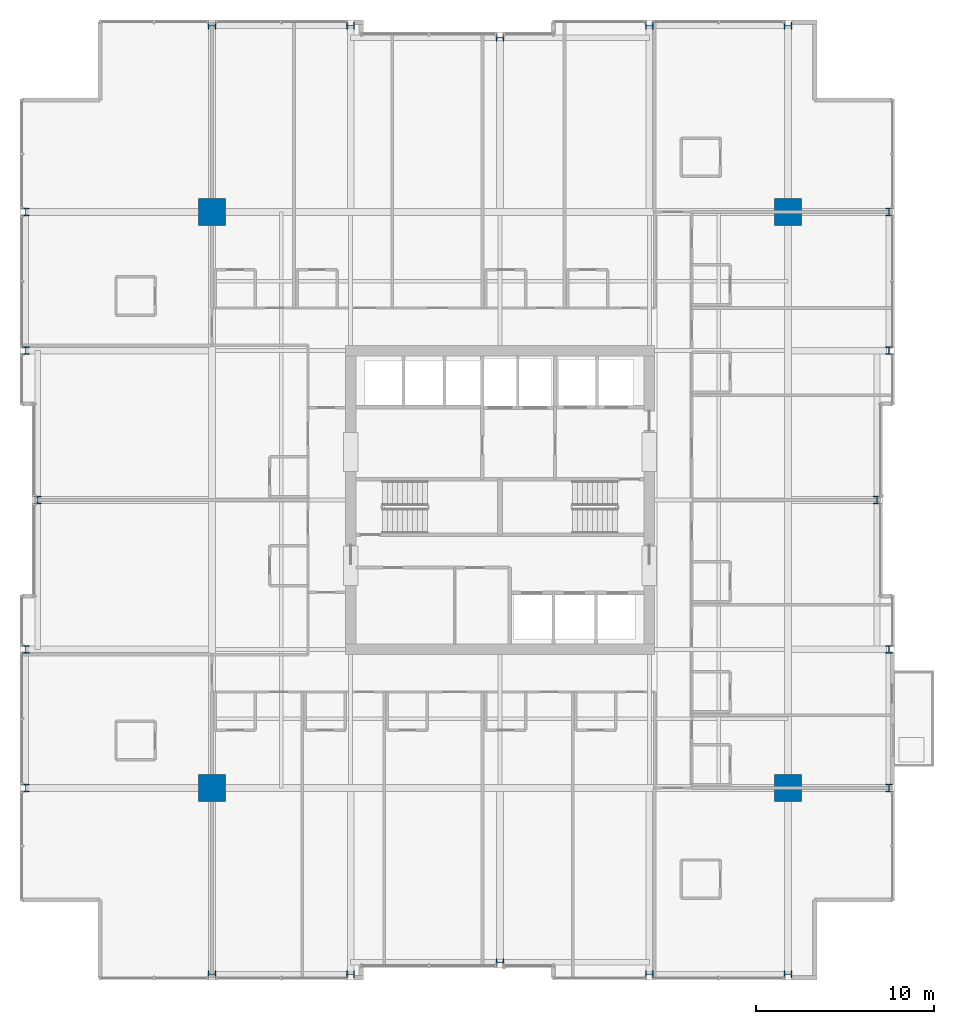
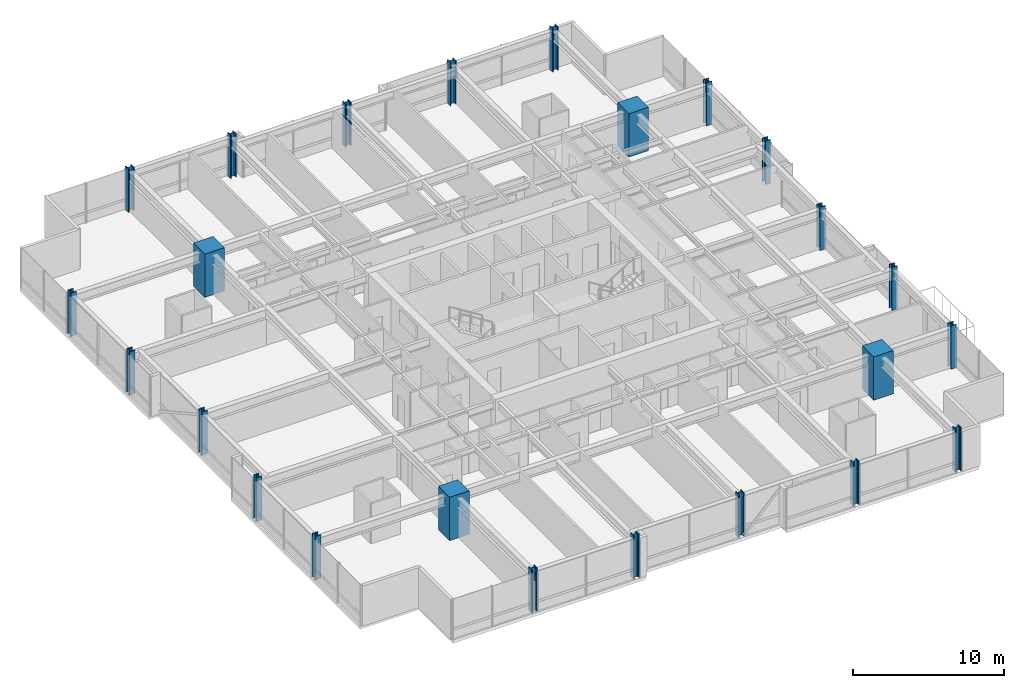
# One storey, part 1 of 35: 24 columns.
"""IFC4 building model written with IfcOpenShell, lengths in metres."""

from ifc_helpers import new_model, si_unit, direction, frame, origin, origin_2d, place, context, subcontext, project, spatial, rectangle, i_section, extrude, material, material_profile, profile_set, type_object, element, save


model = new_model("IFC4")

# Units and contexts
model_context = context("Model", 3, precision=1e-05, world=origin(), true_north=direction((0.0, 1.0)))
body_context = subcontext(model_context, "Body", "Model", "MODEL_VIEW")
ifc_project = project(units=[si_unit("LENGTHUNIT", "METRE"), si_unit("AREAUNIT", "SQUARE_METRE"), si_unit("VOLUMEUNIT", "CUBIC_METRE"), si_unit("PLANEANGLEUNIT", "RADIAN"), si_unit("MASSUNIT", "GRAM", prefix="KILO")], contexts=[model_context])

# Site, building, storey
site_placement = place(None, origin())
site = spatial("IfcSite", under=ifc_project, at=site_placement, CompositionType="ELEMENT")
building_placement = place(site_placement, origin())
building = spatial("IfcBuilding", under=site, at=building_placement, Name="Drelvath Grand Hotel", CompositionType="ELEMENT")
storey_placement = place(building_placement, frame((0.0, 0.0, 95.300048828125)))
storey = spatial("IfcBuildingStorey", under=building, at=storey_placement, Name="L23", CompositionType="ELEMENT", Elevation=95.300048828125)

# Columns
ifc_material_1 = material(Name="Concrete f'c 70 MPa", Category="concrete")
ifc_material_profile_1 = material_profile(ifc_material_1, rectangle(XDim=1.5, YDim=1.5, at=origin_2d()), Name="MC1500X1500")
ifc_profile_set_1 = profile_set([ifc_material_profile_1], Name="Concrete f'c 70 MPa")
column_type_1 = type_object("IfcColumnType", Name="Composite Mega Column MC1500X1500", PredefinedType="COLUMN", material=ifc_profile_set_1)
for number, where, z_axis, x_axis, name in (
    (1, (-16.199951171875, 10.800048828125, 0.0), (0.0, 0.0, 1.0), (1.0, 0.0, 0.0), "L23 Composite Mega Column MC-SW"),
    (2, (16.199951171875, 10.800048828125, 0.0), (0.0, 0.0, 1.0), (1.0, 0.0, 0.0), "L23 Composite Mega Column MC-SE"),
    (3, (-16.199951171875, 43.199951171875, 0.0), (0.0, 0.0, 1.0), (1.0, 0.0, 0.0), "L23 Composite Mega Column MC-NW"),
    (4, (16.199951171875, 43.199951171875, 0.0), (0.0, 0.0, 1.0), (1.0, 0.0, 0.0), "L23 Composite Mega Column MC-NE"),
):
    element("IfcColumn", number, at=place(storey_placement, frame(where, z_axis=z_axis, x_axis=x_axis)), inside=storey, type_object=column_type_1, Name=name, PredefinedType="COLUMN", context=body_context, shape_type="SweptSolid", body=[
        extrude(rectangle(XDim=1.5, YDim=1.5, at=origin_2d()), origin(), (0.0, 0.0, 1.0), 3.5),
    ])
ifc_material_2 = material(Name="Steel ASTM A913 Gr 65", Category="steel")
ifc_material_profile_2 = material_profile(ifc_material_2, i_section(OverallWidth=0.41845703125, OverallDepth=0.455078125, WebThickness=0.0419921875, FlangeThickness=0.067626953125, FilletRadius=0.030029296875, at=origin_2d()), Name="W14X370")
ifc_profile_set_2 = profile_set([ifc_material_profile_2], Name="Steel ASTM A913 Gr 65")
column_type_2 = type_object("IfcColumnType", Name="Perimeter Steel Column W14X370", PredefinedType="COLUMN", material=ifc_profile_set_2)
for number, where, z_axis, x_axis, name in (
    (5, (-26.679931640625, 10.800048828125, 0.0), (0.0, 0.0, 1.0), (1.0, 0.0, 0.0), "L23 Structural Column TCW-C"),
    (6, (21.8798828125, 10.800048828125, 0.0), (0.0, 0.0, 1.0), (1.0, 0.0, 0.0), "L23 Structural Column TCE-C"),
    (7, (-26.679931640625, 18.60009765625, 0.0), (0.0, 0.0, 1.0), (1.0, 0.0, 0.0), "L23 Structural Column TCW-D"),
    (8, (21.8798828125, 18.60009765625, 0.0), (0.0, 0.0, 1.0), (1.0, 0.0, 0.0), "L23 Structural Column TCE-D"),
    (9, (-26.0, 27.0, 0.0), (0.0, 0.0, 1.0), (1.0, 0.0, 0.0), "L23 Structural Column TCW-E"),
    (10, (21.199951171875, 27.0, 0.0), (0.0, 0.0, 1.0), (1.0, 0.0, 0.0), "L23 Structural Column TCE-E"),
    (11, (-26.679931640625, 35.39990234375, 0.0), (0.0, 0.0, 1.0), (1.0, 0.0, 0.0), "L23 Structural Column TCW-F"),
    (12, (21.8798828125, 35.39990234375, 0.0), (0.0, 0.0, 1.0), (1.0, 0.0, 0.0), "L23 Structural Column TCE-F"),
    (13, (-26.679931640625, 43.199951171875, 0.0), (0.0, 0.0, 1.0), (1.0, 0.0, 0.0), "L23 Structural Column TCW-G"),
    (14, (21.8798828125, 43.199951171875, 0.0), (0.0, 0.0, 1.0), (1.0, 0.0, 0.0), "L23 Structural Column TCE-G"),
    (15, (-16.199951171875, 0.320068359375, 0.0), (0.0, 0.0, 1.0), (0.0, 1.0, 0.0), "L23 Structural Column TCS-3"),
    (16, (-16.199951171875, 53.679931640625, 0.0), (0.0, 0.0, 1.0), (0.0, 1.0, 0.0), "L23 Structural Column TCN-3"),
    (17, (-8.39990234375, 0.320068359375, 0.0), (0.0, 0.0, 1.0), (0.0, 1.0, 0.0), "L23 Structural Column TCS-4"),
    (18, (-8.39990234375, 53.679931640625, 0.0), (0.0, 0.0, 1.0), (0.0, 1.0, 0.0), "L23 Structural Column TCN-4"),
    (19, (0.0, 1.0, 0.0), (0.0, 0.0, 1.0), (0.0, 1.0, 0.0), "L23 Structural Column TCS-5"),
    (20, (0.0, 53.0, 0.0), (0.0, 0.0, 1.0), (0.0, 1.0, 0.0), "L23 Structural Column TCN-5"),
    (21, (8.39990234375, 0.320068359375, 0.0), (0.0, 0.0, 1.0), (0.0, 1.0, 0.0), "L23 Structural Column TCS-6"),
    (22, (8.39990234375, 53.679931640625, 0.0), (0.0, 0.0, 1.0), (0.0, 1.0, 0.0), "L23 Structural Column TCN-6"),
    (23, (16.199951171875, 0.320068359375, 0.0), (0.0, 0.0, 1.0), (0.0, 1.0, 0.0), "L23 Structural Column TCS-7"),
    (24, (16.199951171875, 53.679931640625, 0.0), (0.0, 0.0, 1.0), (0.0, 1.0, 0.0), "L23 Structural Column TCN-7"),
):
    element("IfcColumn", number, at=place(storey_placement, frame(where, z_axis=z_axis, x_axis=x_axis)), inside=storey, type_object=column_type_2, Name=name, PredefinedType="COLUMN", context=body_context, shape_type="SweptSolid", body=[
        extrude(i_section(OverallWidth=0.41845703125, OverallDepth=0.455078125, WebThickness=0.0419921875, FlangeThickness=0.067626953125, FilletRadius=0.030029296875, at=origin_2d()), origin(), (0.0, 0.0, 1.0), 3.4970703125),
    ])

save(model, "model.ifc")
